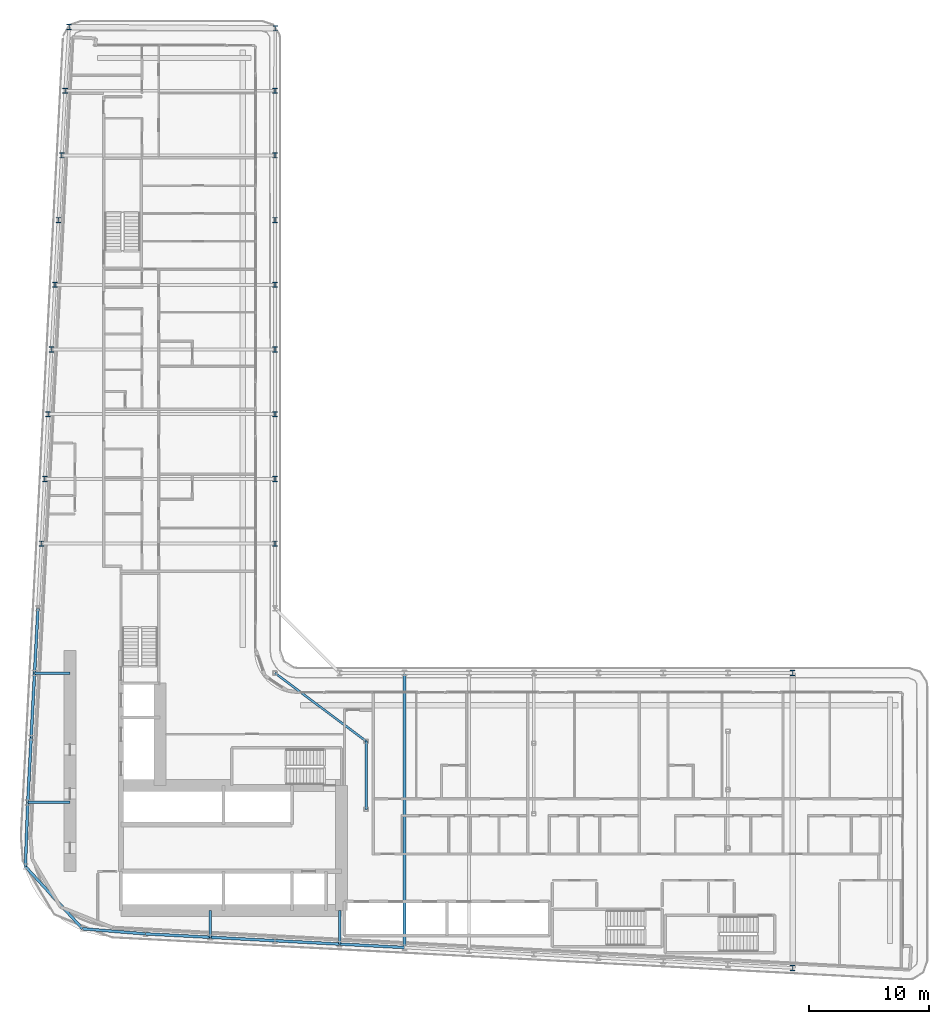
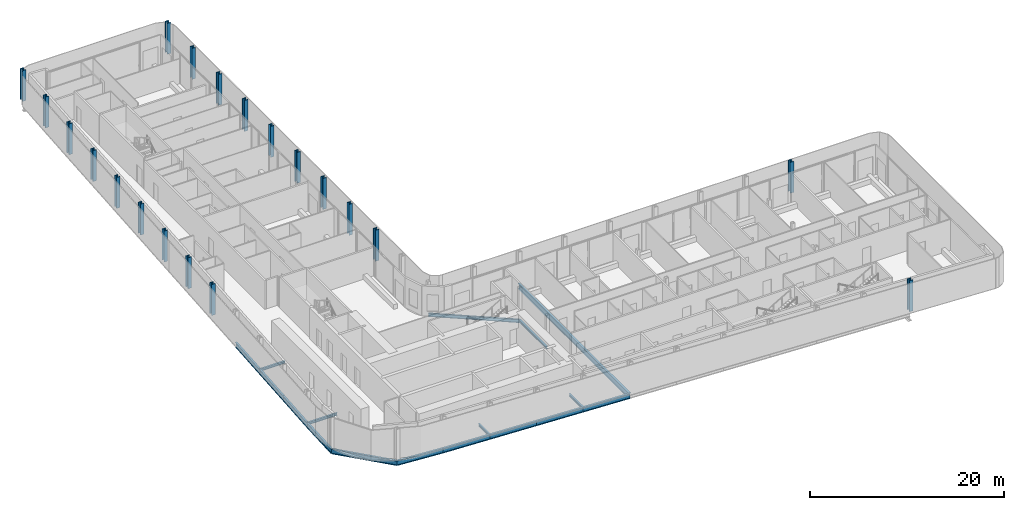
# One storey, part 3 of 27: 20 columns, 17 beams.
"""IFC4 building model written with IfcOpenShell, lengths in metres."""

from ifc_helpers import new_model, si_unit, direction, frame, origin, origin_2d, place, context, subcontext, project, spatial, i_section, extrude, material, material_profile, profile_set, type_object, element, save


model = new_model("IFC4")

# Units and contexts
model_context = context("Model", 3, precision=1e-05, world=origin(), true_north=direction((0.0, 1.0)))
body_context = subcontext(model_context, "Body", "Model", "MODEL_VIEW")
ifc_project = project(units=[si_unit("LENGTHUNIT", "METRE"), si_unit("AREAUNIT", "SQUARE_METRE"), si_unit("VOLUMEUNIT", "CUBIC_METRE"), si_unit("PLANEANGLEUNIT", "RADIAN"), si_unit("MASSUNIT", "GRAM", prefix="KILO")], contexts=[model_context])

# Site, building, storey
site_placement = place(None, origin())
site = spatial("IfcSite", under=ifc_project, at=site_placement, CompositionType="ELEMENT")
building_placement = place(site_placement, origin())
building = spatial("IfcBuilding", under=site, at=building_placement, Name="Kheshtan School and Residences Tower", CompositionType="ELEMENT")
storey_placement = place(building_placement, frame((0.0, 0.0, 53.89990234375)))
storey = spatial("IfcBuildingStorey", under=building, at=storey_placement, Name="L12", CompositionType="ELEMENT", Elevation=53.89990234375)

# Columns
ifc_material = material(Name="Steel ASTM A992 Grade 50", Category="steel")
ifc_material_profile_1 = material_profile(ifc_material, i_section(OverallWidth=0.424072265625, OverallDepth=0.47412109375, WebThickness=0.047607421875, FlangeThickness=0.0771484375, FilletRadius=0.01416015625, at=origin_2d()), Name="W360x634")
ifc_profile_set_1 = profile_set([ifc_material_profile_1], Name="Steel ASTM A992 Grade 50")
column_type = type_object("IfcColumnType", Name="Column C1 W360x634 ASTM A992 Grade 50", PredefinedType="COLUMN", material=ifc_profile_set_1)
for number, where, z_axis, x_axis, name in (
    (1, (90.800048828125, 20.989990234375, 0.0), (0.0, 0.0, 1.0), (1.0, 0.0, 0.0), "Column C006"),
    (2, (90.800048828125, 45.60009765625, 0.0), (0.0, 0.0, 1.0), (1.0, 0.0, 0.0), "Column C068"),
    (3, (28.10595703125, 56.39990234375, 0.0), (0.0, 0.0, 1.0), (1.0, 0.0, 0.0), "Column C080"),
    (4, (47.60009765625, 56.39990234375, 0.0), (0.0, 0.0, 1.0), (1.0, 0.0, 0.0), "Column C081"),
    (5, (28.389892578125, 61.800048828125, 0.0), (0.0, 0.0, 1.0), (1.0, 0.0, 0.0), "Column C082"),
    (6, (47.60009765625, 61.800048828125, 0.0), (0.0, 0.0, 1.0), (1.0, 0.0, 0.0), "Column C083"),
    (7, (28.674072265625, 67.199951171875, 0.0), (0.0, 0.0, 1.0), (1.0, 0.0, 0.0), "Column C084"),
    (8, (47.60009765625, 67.199951171875, 0.0), (0.0, 0.0, 1.0), (1.0, 0.0, 0.0), "Column C085"),
    (9, (28.9580078125, 72.60009765625, 0.0), (0.0, 0.0, 1.0), (1.0, 0.0, 0.0), "Column C086"),
    (10, (47.60009765625, 72.60009765625, 0.0), (0.0, 0.0, 1.0), (1.0, 0.0, 0.0), "Column C087"),
    (11, (29.242919921875, 78.0, 0.0), (0.0, 0.0, 1.0), (1.0, 0.0, 0.0), "Column C088"),
    (12, (47.60009765625, 78.0, 0.0), (0.0, 0.0, 1.0), (1.0, 0.0, 0.0), "Column C089"),
    (13, (29.527099609375, 83.39990234375, 0.0), (0.0, 0.0, 1.0), (1.0, 0.0, 0.0), "Column C090"),
    (14, (47.60009765625, 83.39990234375, 0.0), (0.0, 0.0, 1.0), (1.0, 0.0, 0.0), "Column C091"),
    (15, (29.81103515625, 88.800048828125, 0.0), (0.0, 0.0, 1.0), (1.0, 0.0, 0.0), "Column C098"),
    (16, (47.60009765625, 88.800048828125, 0.0), (0.0, 0.0, 1.0), (1.0, 0.0, 0.0), "Column C099"),
    (17, (30.094970703125, 94.199951171875, 0.0), (0.0, 0.0, 1.0), (1.0, 0.0, 0.0), "Column C106"),
    (18, (47.60009765625, 94.199951171875, 0.0), (0.0, 0.0, 1.0), (1.0, 0.0, 0.0), "Column C107"),
    (19, (47.6298828125, 99.402099609375, 0.0), (0.0, 0.0, 1.0), (1.0, 0.0, 0.0), "Column C113"),
    (20, (30.424072265625, 99.510009765625, 0.0), (0.0, 0.0, 1.0), (1.0, 0.0, 0.0), "Column C121"),
):
    element("IfcColumn", number, at=place(storey_placement, frame(where, z_axis=z_axis, x_axis=x_axis)), inside=storey, type_object=column_type, Name=name, PredefinedType="COLUMN", context=body_context, shape_type="SweptSolid", body=[
        extrude(i_section(OverallWidth=0.424072265625, OverallDepth=0.47412109375, WebThickness=0.047607421875, FlangeThickness=0.0771484375, FilletRadius=0.01416015625, at=origin_2d()), origin(), (0.0, 0.0, 1.0), 3.900146484375),
    ])

# Beams
ifc_material_profile_2 = material_profile(ifc_material, i_section(OverallWidth=0.202880859375, OverallDepth=0.302978515625, WebThickness=0.007568359375, FlangeThickness=0.01318359375, FilletRadius=0.009033203125, at=origin_2d()), Name="W310x60")
ifc_profile_set_2 = profile_set([ifc_material_profile_2], Name="Steel ASTM A992 Grade 50")
beam_type_1 = type_object("IfcBeamType", Name="Beam FB1 W310x60 ASTM A992 Grade 50", PredefinedType="BEAM", material=ifc_profile_set_2)
beam_1_placement = place(storey_placement, frame((53.0, 22.97998046875, -0.301513671875), z_axis=(0.0, 1.0, 0.0), x_axis=(-1.0, 0.0, 0.0)))
element("IfcBeam", 21, at=beam_1_placement, inside=storey, type_object=beam_type_1, Name="Floor beam C019", PredefinedType="BEAM", context=body_context, shape_type="SweptSolid", body=[
    extrude(i_section(OverallWidth=0.202880859375, OverallDepth=0.302978515625, WebThickness=0.007568359375, FlangeThickness=0.01318359375, FilletRadius=0.009033203125, at=origin_2d()), origin(), (0.0, 0.0, 1.0), 2.820068359375),
])
beam_2_placement = place(storey_placement, frame((42.199951171875, 23.548095703125, -0.301513671875), z_axis=(0.0, 1.0, 0.0), x_axis=(-1.0, 0.0, 0.0)))
element("IfcBeam", 22, at=beam_2_placement, inside=storey, type_object=beam_type_1, Name="Floor beam C021", PredefinedType="BEAM", context=body_context, shape_type="SweptSolid", body=[
    extrude(i_section(OverallWidth=0.202880859375, OverallDepth=0.302978515625, WebThickness=0.007568359375, FlangeThickness=0.01318359375, FilletRadius=0.009033203125, at=origin_2d()), origin(), (0.0, 0.0, 1.0), 2.251953125),
])
beam_3_placement = place(storey_placement, frame((26.968994140625, 34.800048828125, -0.301513671875), z_axis=(1.0, 0.0, 0.0), x_axis=(0.0, 1.0, 0.0)))
element("IfcBeam", 23, at=beam_3_placement, inside=storey, type_object=beam_type_1, Name="Floor beam C052", PredefinedType="BEAM", context=body_context, shape_type="SweptSolid", body=[
    extrude(i_section(OverallWidth=0.202880859375, OverallDepth=0.302978515625, WebThickness=0.007568359375, FlangeThickness=0.01318359375, FilletRadius=0.009033203125, at=origin_2d()), origin(), (0.0, 0.0, 1.0), 3.531005859375),
])
beam_4_placement = place(storey_placement, frame((27.537109375, 45.60009765625, -0.301513671875), z_axis=(1.0, 0.0, 0.0), x_axis=(0.0, 1.0, 0.0)))
element("IfcBeam", 24, at=beam_4_placement, inside=storey, type_object=beam_type_1, Name="Floor beam C059", PredefinedType="BEAM", context=body_context, shape_type="SweptSolid", body=[
    extrude(i_section(OverallWidth=0.202880859375, OverallDepth=0.302978515625, WebThickness=0.007568359375, FlangeThickness=0.01318359375, FilletRadius=0.009033203125, at=origin_2d()), origin(), (0.0, 0.0, 1.0), 2.962890625),
])
beam_5_placement = place(storey_placement, frame((55.199951171875, 34.23193359375, -0.301513671875), z_axis=(0.0, 1.0, 0.0), x_axis=(-1.0, 0.0, 0.0)))
element("IfcBeam", 25, at=beam_5_placement, inside=storey, type_object=beam_type_1, Name="Floor beam IC", PredefinedType="BEAM", context=body_context, shape_type="SweptSolid", body=[
    extrude(i_section(OverallWidth=0.202880859375, OverallDepth=0.302978515625, WebThickness=0.007568359375, FlangeThickness=0.01318359375, FilletRadius=0.009033203125, at=origin_2d()), origin(), (0.0, 0.0, 1.0), 5.68408203125),
])
ifc_material_profile_3 = material_profile(ifc_material, i_section(OverallWidth=0.180908203125, OverallDepth=0.4169921875, WebThickness=0.010986328125, FlangeThickness=0.018310546875, FilletRadius=0.012451171875, at=origin_2d()), Name="W410x85")
ifc_profile_set_3 = profile_set([ifc_material_profile_3], Name="Steel ASTM A992 Grade 50")
beam_type_2 = type_object("IfcBeamType", Name="Beam FB3 W410x85 ASTM A992 Grade 50", PredefinedType="BEAM", material=ifc_profile_set_3)
beam_6_placement = place(storey_placement, frame((47.60009765625, 45.60009765625, -0.3583984375), z_axis=(0.800798828004, -0.598933416222, 0.0), x_axis=(0.598933416222, 0.800798828004, 0.0)))
element("IfcBeam", 26, at=beam_6_placement, inside=storey, type_object=beam_type_2, Name="Floor beam IC", PredefinedType="BEAM", context=body_context, shape_type="SweptSolid", body=[
    extrude(i_section(OverallWidth=0.180908203125, OverallDepth=0.4169921875, WebThickness=0.010986328125, FlangeThickness=0.018310546875, FilletRadius=0.012451171875, at=origin_2d()), origin(), (0.0, 0.0, 1.0), 9.490234375),
])
ifc_material_profile_4 = material_profile(ifc_material, i_section(OverallWidth=0.2529296875, OverallDepth=0.677978515625, WebThickness=0.01171875, FlangeThickness=0.016357421875, FilletRadius=0.0146484375, at=origin_2d()), Name="W690x125")
ifc_profile_set_4 = profile_set([ifc_material_profile_4], Name="Steel ASTM A992 Grade 50")
beam_type_3 = type_object("IfcBeamType", Name="Beam FB6 W690x125 ASTM A992 Grade 50", PredefinedType="BEAM", material=ifc_profile_set_4)
beam_7_placement = place(storey_placement, frame((58.39990234375, 45.60009765625, -0.489013671875), z_axis=(0.0, -1.0, 0.0), x_axis=(1.0, 0.0, 0.0)))
element("IfcBeam", 27, at=beam_7_placement, inside=storey, type_object=beam_type_3, Name="Floor beam C062", PredefinedType="BEAM", context=body_context, shape_type="SweptSolid", body=[
    extrude(i_section(OverallWidth=0.2529296875, OverallDepth=0.677978515625, WebThickness=0.01171875, FlangeThickness=0.016357421875, FilletRadius=0.0146484375, at=origin_2d()), origin(), (0.0, 0.0, 1.0), 22.905029296875),
])
ifc_material_profile_5 = material_profile(ifc_material, i_section(OverallWidth=0.22998046875, OverallDepth=0.616943359375, WebThickness=0.01318359375, FlangeThickness=0.022216796875, FilletRadius=0.0185546875, at=origin_2d()), Name="W610x140")
ifc_profile_set_5 = profile_set([ifc_material_profile_5], Name="Steel ASTM A992 Grade 50")
beam_type_4 = type_object("IfcBeamType", Name="Beam SP1 W610x140 ASTM A992 Grade 50", PredefinedType="BEAM", material=ifc_profile_set_5)
for number, where, z_axis, x_axis, name in (
    (28, (58.39990234375, 22.695068359375, -0.45849609375), (-0.998610961136, 0.052689166816, 0.0), (-0.052689166816, -0.998610961136, 0.0), "Spandrel beam C018-C019"),
    (29, (53.0, 22.97998046875, -0.45849609375), (-0.998620447272, 0.05250906864, 0.0), (-0.05250906864, -0.998620447272, 0.0), "Spandrel beam C019-C020"),
):
    element("IfcBeam", number, at=place(storey_placement, frame(where, z_axis=z_axis, x_axis=x_axis)), inside=storey, type_object=beam_type_4, Name=name, PredefinedType="BEAM", context=body_context, shape_type="SweptSolid", body=[
        extrude(i_section(OverallWidth=0.22998046875, OverallDepth=0.616943359375, WebThickness=0.01318359375, FlangeThickness=0.022216796875, FilletRadius=0.0185546875, at=origin_2d()), origin(), (0.0, 0.0, 1.0), 5.407470703125),
    ])
beam_8_placement = place(storey_placement, frame((47.60009765625, 23.263916015625, -0.45849609375), z_axis=(-0.998618203458, 0.052551724256, 0.0), x_axis=(-0.052551724256, -0.998618203458, 0.0)))
element("IfcBeam", 30, at=beam_8_placement, inside=storey, type_object=beam_type_4, Name="Spandrel beam C020-C021", PredefinedType="BEAM", context=body_context, shape_type="SweptSolid", body=[
    extrude(i_section(OverallWidth=0.22998046875, OverallDepth=0.616943359375, WebThickness=0.01318359375, FlangeThickness=0.022216796875, FilletRadius=0.0185546875, at=origin_2d()), origin(), (0.0, 0.0, 1.0), 5.40771484375),
])
beam_9_placement = place(storey_placement, frame((42.199951171875, 23.548095703125, -0.45849609375), z_axis=(-0.998620447272, 0.05250906864, 0.0), x_axis=(-0.05250906864, -0.998620447272, 0.0)))
element("IfcBeam", 31, at=beam_9_placement, inside=storey, type_object=beam_type_4, Name="Spandrel beam C021-C022", PredefinedType="BEAM", context=body_context, shape_type="SweptSolid", body=[
    extrude(i_section(OverallWidth=0.22998046875, OverallDepth=0.616943359375, WebThickness=0.01318359375, FlangeThickness=0.022216796875, FilletRadius=0.0185546875, at=origin_2d()), origin(), (0.0, 0.0, 1.0), 5.407470703125),
])
beam_10_placement = place(storey_placement, frame((36.800048828125, 23.83203125, -0.45849609375), z_axis=(-0.996748565693, 0.08057479003, 0.0), x_axis=(-0.08057479003, -0.996748565693, 0.0)))
element("IfcBeam", 32, at=beam_10_placement, inside=storey, type_object=beam_type_4, Name="Spandrel beam C022-C025", PredefinedType="BEAM", context=body_context, shape_type="SweptSolid", body=[
    extrude(i_section(OverallWidth=0.22998046875, OverallDepth=0.616943359375, WebThickness=0.01318359375, FlangeThickness=0.022216796875, FilletRadius=0.0185546875, at=origin_2d()), origin(), (0.0, 0.0, 1.0), 5.275146484375),
])
beam_11_placement = place(storey_placement, frame((31.5419921875, 24.257080078125, -0.45849609375), z_axis=(-0.676418406149, 0.736517576045, 0.0), x_axis=(-0.736517576045, -0.676418406149, 0.0)))
element("IfcBeam", 33, at=beam_11_placement, inside=storey, type_object=beam_type_4, Name="Spandrel beam C025-C038", PredefinedType="BEAM", context=body_context, shape_type="SweptSolid", body=[
    extrude(i_section(OverallWidth=0.22998046875, OverallDepth=0.616943359375, WebThickness=0.01318359375, FlangeThickness=0.022216796875, FilletRadius=0.0185546875, at=origin_2d()), origin(), (0.0, 0.0, 1.0), 7.05615234375),
])
beam_12_placement = place(storey_placement, frame((26.76904296875, 29.4541015625, -0.45849609375), z_axis=(0.037376249491, 0.999301263871, 0.0), x_axis=(-0.999301263871, 0.037376249491, 0.0)))
element("IfcBeam", 34, at=beam_12_placement, inside=storey, type_object=beam_type_4, Name="Spandrel beam C038-C052", PredefinedType="BEAM", context=body_context, shape_type="SweptSolid", body=[
    extrude(i_section(OverallWidth=0.22998046875, OverallDepth=0.616943359375, WebThickness=0.01318359375, FlangeThickness=0.022216796875, FilletRadius=0.0185546875, at=origin_2d()), origin(), (0.0, 0.0, 1.0), 5.349609375),
])
beam_13_placement = place(storey_placement, frame((26.968994140625, 34.800048828125, -0.45849609375), z_axis=(0.05250906864, 0.998620447272, 0.0), x_axis=(-0.998620447272, 0.05250906864, 0.0)))
element("IfcBeam", 35, at=beam_13_placement, inside=storey, type_object=beam_type_4, Name="Spandrel beam C052-C056", PredefinedType="BEAM", context=body_context, shape_type="SweptSolid", body=[
    extrude(i_section(OverallWidth=0.22998046875, OverallDepth=0.616943359375, WebThickness=0.01318359375, FlangeThickness=0.022216796875, FilletRadius=0.0185546875, at=origin_2d()), origin(), (0.0, 0.0, 1.0), 5.407470703125),
])
beam_14_placement = place(storey_placement, frame((27.2529296875, 40.199951171875, -0.45849609375), z_axis=(0.052551724256, 0.998618203458, 0.0), x_axis=(-0.998618203458, 0.052551724256, 0.0)))
element("IfcBeam", 36, at=beam_14_placement, inside=storey, type_object=beam_type_4, Name="Spandrel beam C056-C059", PredefinedType="BEAM", context=body_context, shape_type="SweptSolid", body=[
    extrude(i_section(OverallWidth=0.22998046875, OverallDepth=0.616943359375, WebThickness=0.01318359375, FlangeThickness=0.022216796875, FilletRadius=0.0185546875, at=origin_2d()), origin(), (0.0, 0.0, 1.0), 5.40771484375),
])
beam_15_placement = place(storey_placement, frame((27.537109375, 45.60009765625, -0.45849609375), z_axis=(0.052689166816, 0.998610961136, 0.0), x_axis=(-0.998610961136, 0.052689166816, 0.0)))
element("IfcBeam", 37, at=beam_15_placement, inside=storey, type_object=beam_type_4, Name="Spandrel beam C059-C078", PredefinedType="BEAM", context=body_context, shape_type="SweptSolid", body=[
    extrude(i_section(OverallWidth=0.22998046875, OverallDepth=0.616943359375, WebThickness=0.01318359375, FlangeThickness=0.022216796875, FilletRadius=0.0185546875, at=origin_2d()), origin(), (0.0, 0.0, 1.0), 5.407470703125),
])

save(model, "model.ifc")
